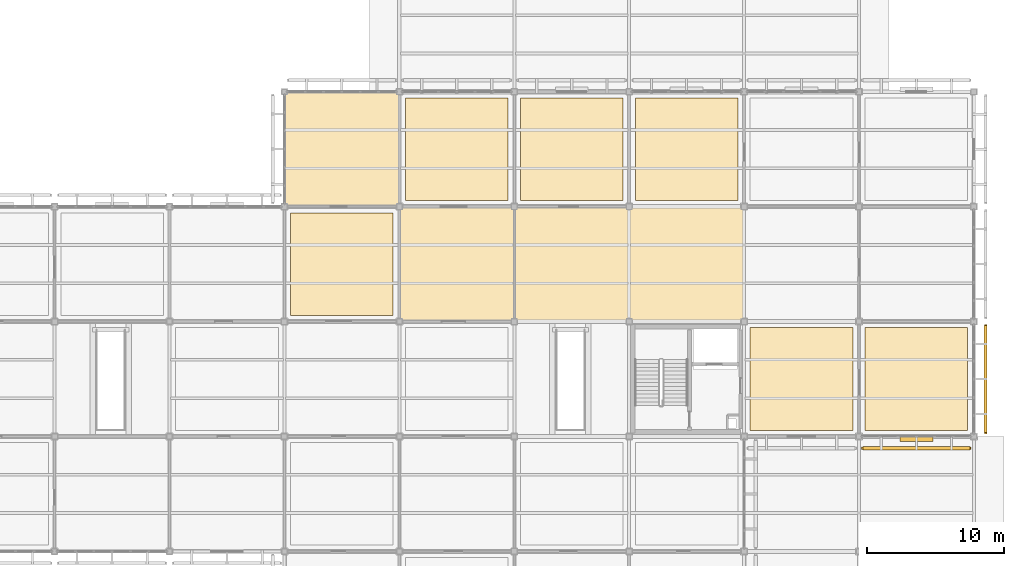
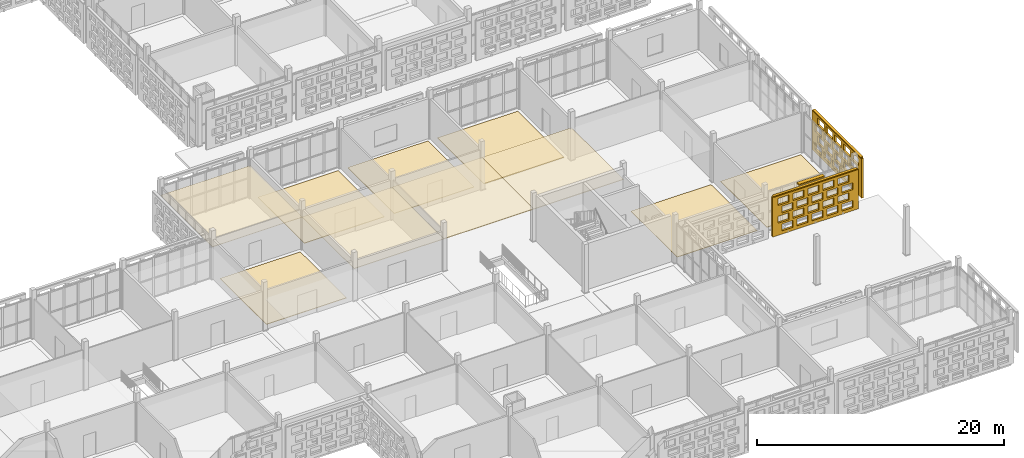
# One storey, part 188 of 203: 12 coverings, 3 shading devices, 40 openings.
"""IFC4 building model written with IfcOpenShell, lengths in metres."""

from ifc_helpers import new_model, si_unit, direction, frame, frame_2d, origin, origin_2d, place, context, subcontext, project, spatial, rectangle, extrude, material, layer, layer_set, type_object, element, save


model = new_model("IFC4")

# Units and contexts
model_context = context("Model", 3, precision=1e-05, world=origin(), true_north=direction((0.0, 1.0)))
body_context = subcontext(model_context, "Body", "Model", "MODEL_VIEW")
ifc_project = project(units=[si_unit("LENGTHUNIT", "METRE"), si_unit("AREAUNIT", "SQUARE_METRE"), si_unit("VOLUMEUNIT", "CUBIC_METRE"), si_unit("PLANEANGLEUNIT", "RADIAN"), si_unit("MASSUNIT", "GRAM", prefix="KILO")], contexts=[model_context])

# Site, building, storey
site_placement = place(None, origin())
site = spatial("IfcSite", under=ifc_project, at=site_placement, CompositionType="ELEMENT")
building_placement = place(site_placement, origin())
building = spatial("IfcBuilding", under=site, at=building_placement, Name="Varnapada Polytechnic", CompositionType="ELEMENT")
storey_placement = place(building_placement, frame((0.0, 0.0, 4.800048828125)))
storey = spatial("IfcBuildingStorey", under=building, at=storey_placement, Name="L01", CompositionType="ELEMENT", Elevation=4.800048828125)

# Coverings
ifc_material_1 = material(Name="End-Grain Timber Studio Block Flooring", Category="wood")
ifc_layer_1 = layer(ifc_material_1, 0.054931640625)
ifc_layer_set_1 = layer_set([ifc_layer_1], Name="End-Grain Timber Studio Block Flooring")
covering_type_1 = type_object("IfcCoveringType", Name="Floor Finish FLR-04", PredefinedType="FLOORING", material=ifc_layer_set_1)
for number, where, z_axis, x_axis, name in (
    (1, (130.199951171875, 37.800048828125, 0.0), (0.0, 0.0, 1.0), (1.0, 0.0, 0.0), "L01 floor finish panel (16,5)"),
    (2, (138.60009765625, 46.199951171875, 0.0), (0.0, 0.0, 1.0), (1.0, 0.0, 0.0), "L01 floor finish panel (17,6)"),
    (3, (147.0, 46.199951171875, 0.0), (0.0, 0.0, 1.0), (1.0, 0.0, 0.0), "L01 floor finish panel (18,6)"),
    (4, (155.39990234375, 46.199951171875, 0.0), (0.0, 0.0, 1.0), (1.0, 0.0, 0.0), "L01 floor finish panel (19,6)"),
    (5, (172.199951171875, 29.39990234375, 0.0), (0.0, 0.0, 1.0), (1.0, 0.0, 0.0), "L01 floor finish panel (21,4)"),
):
    element("IfcCovering", number, at=place(storey_placement, frame(where, z_axis=z_axis, x_axis=x_axis)), inside=storey, type_object=covering_type_1, Name=name, PredefinedType="FLOORING", context=body_context, shape_type="SweptSolid", body=[
        extrude(rectangle(XDim=7.5, YDim=7.5, at=origin_2d()), origin(), (0.0, 0.0, 1.0), 0.054931640625),
    ])
ifc_material_2 = material(Name="Acoustic Rubber Seminar Flooring")
ifc_layer_2 = layer(ifc_material_2, 0.0400390625)
ifc_layer_set_2 = layer_set([ifc_layer_2], Name="Acoustic Rubber Seminar Flooring")
covering_type_2 = type_object("IfcCoveringType", Name="Floor Finish FLR-06", PredefinedType="FLOORING", material=ifc_layer_set_2)
covering_1_placement = place(storey_placement, frame((163.800048828125, 29.39990234375, 0.0), z_axis=(0.0, 0.0, 1.0), x_axis=(1.0, 0.0, 0.0)))
element("IfcCovering", 6, at=covering_1_placement, inside=storey, type_object=covering_type_2, Name="L01 floor finish panel (20,4)", PredefinedType="FLOORING", context=body_context, shape_type="SweptSolid", body=[
    extrude(rectangle(XDim=7.5, YDim=7.5, at=origin_2d()), origin(), (0.0, 0.0, 1.0), 0.0400390625),
])

# Shading device
ifc_material_3 = material(Name="Anodised aluminium", Category="aluminium")
ifc_layer_3 = layer(ifc_material_3, 0.35009765625)
ifc_layer_set_3 = layer_set([ifc_layer_3], Name="Anodised aluminium")
shading_device_type_1 = type_object("IfcShadingDeviceType", Name="Solar Louvre LVR-01", PredefinedType="JALOUSIE", material=ifc_layer_set_3)
shading_device_1_placement = place(storey_placement, frame((172.195068359375, 25.02001953125, 3.760009765625), z_axis=(0.0, 0.0, 1.0), x_axis=(-1.0, 0.0, 0.0)))
element("IfcShadingDevice", 7, at=shading_device_1_placement, inside=storey, type_object=shading_device_type_1, Name="L01 aluminium sun louvre 139", PredefinedType="JALOUSIE", context=body_context, shape_type="SweptSolid", body=[
    extrude(rectangle(XDim=2.39990234375, YDim=0.340087890625, at=origin_2d()), origin(), (0.0, 0.0, 1.0), 0.1201171875),
])

# Coverings
ifc_material_4 = material(Name="Perforated Timber Slatted Baffle Ceiling", Category="wood")
ifc_layer_4 = layer(ifc_material_4, 0.050048828125)
ifc_layer_set_4 = layer_set([ifc_layer_4], Name="Perforated Timber Slatted Baffle Ceiling")
covering_type_3 = type_object("IfcCoveringType", Name="Suspended Ceiling CLG-02", PredefinedType="CEILING", material=ifc_layer_set_4)
covering_2_placement = place(storey_placement, frame((138.60009765625, 37.800048828125, 3.02490234375), z_axis=(0.0, 0.0, 1.0), x_axis=(1.0, 0.0, 0.0)))
element("IfcCovering", 8, at=covering_2_placement, inside=storey, type_object=covering_type_3, Name="L01 suspended acoustic ceiling (17,5)", PredefinedType="CEILING", context=body_context, shape_type="SweptSolid", body=[
    extrude(rectangle(XDim=8.419921875, YDim=8.419921875, at=origin_2d()), origin(), (0.0, 0.0, 1.0), 0.050048828125),
])
ifc_material_5 = material(Name="Slatted Merbau Timber Acoustic Ceiling", Category="wood")
ifc_layer_5 = layer(ifc_material_5, 0.054931640625)
ifc_layer_set_5 = layer_set([ifc_layer_5], Name="Slatted Merbau Timber Acoustic Ceiling")
covering_type_4 = type_object("IfcCoveringType", Name="Suspended Ceiling CLG-05", PredefinedType="CEILING", material=ifc_layer_set_5)
covering_3_placement = place(storey_placement, frame((155.39990234375, 37.800048828125, 3.0224609375), z_axis=(0.0, 0.0, 1.0), x_axis=(1.0, 0.0, 0.0)))
element("IfcCovering", 9, at=covering_3_placement, inside=storey, type_object=covering_type_4, Name="L01 suspended acoustic ceiling (19,5)", PredefinedType="CEILING", context=body_context, shape_type="SweptSolid", body=[
    extrude(rectangle(XDim=8.419921875, YDim=8.419921875, at=origin_2d()), origin(), (0.0, 0.0, 1.0), 0.054931640625),
])
ifc_material_6 = material(Name="Cleanroom Laboratory Metal Pan Ceiling")
ifc_layer_6 = layer(ifc_material_6, 0.034912109375)
ifc_layer_set_6 = layer_set([ifc_layer_6], Name="Cleanroom Laboratory Metal Pan Ceiling")
covering_type_5 = type_object("IfcCoveringType", Name="Suspended Ceiling CLG-06", PredefinedType="CEILING", material=ifc_layer_set_6)
covering_4_placement = place(storey_placement, frame((130.199951171875, 46.199951171875, 3.03271484375), z_axis=(0.0, 0.0, 1.0), x_axis=(1.0, 0.0, 0.0)))
element("IfcCovering", 10, at=covering_4_placement, inside=storey, type_object=covering_type_5, Name="L01 suspended acoustic ceiling (16,6)", PredefinedType="CEILING", context=body_context, shape_type="SweptSolid", body=[
    extrude(rectangle(XDim=8.419921875, YDim=8.419921875, at=origin_2d()), origin(), (0.0, 0.0, 1.0), 0.034912109375),
])
ifc_material_7 = material(Name="Deep Acoustic Auditorium Cloud Baffle")
ifc_layer_7 = layer(ifc_material_7, 0.06494140625)
ifc_layer_set_7 = layer_set([ifc_layer_7], Name="Deep Acoustic Auditorium Cloud Baffle")
covering_type_6 = type_object("IfcCoveringType", Name="Suspended Ceiling CLG-07", PredefinedType="CEILING", material=ifc_layer_set_7)
covering_5_placement = place(storey_placement, frame((147.0, 37.800048828125, 3.017578125), z_axis=(0.0, 0.0, 1.0), x_axis=(1.0, 0.0, 0.0)))
element("IfcCovering", 11, at=covering_5_placement, inside=storey, type_object=covering_type_6, Name="L01 suspended acoustic ceiling (18,5)", PredefinedType="CEILING", context=body_context, shape_type="SweptSolid", body=[
    extrude(rectangle(XDim=8.419921875, YDim=8.419921875, at=origin_2d()), origin(), (0.0, 0.0, 1.0), 0.06494140625),
])

# Covering, openings
ifc_material_8 = material(Name="Earth-toned architectural terracotta screen block", Category="masonry")
ifc_layer_8 = layer(ifc_material_8, 0.1201171875)
ifc_layer_set_8 = layer_set([ifc_layer_8], Name="Earth-toned architectural terracotta screen block")
covering_type_7 = type_object("IfcCoveringType", Name="Terracotta Screen Cladding CLD-01", PredefinedType="CLADDING", material=ifc_layer_set_8)
covering_6_placement = place(storey_placement, frame((176.199951171875, 24.35009765625, 0.0), z_axis=(0.0, 0.0, 1.0), x_axis=(-1.0, 0.0, 0.0)))
covering_6 = element("IfcCovering", 12, at=covering_6_placement, inside=storey, type_object=covering_type_7, Name="L01 perforated terracotta block screen (139)", PredefinedType="CLADDING", context=body_context, shape_type="SweptSolid", body=[
    extrude(rectangle(XDim=8.010009765625, YDim=0.179931640625, at=frame_2d((4.0048828125, 0.0))), origin(), (0.0, 0.0, 1.0), 3.919921875),
])
opening_1_placement = place(covering_6_placement, frame((0.5048828125, 0.0, 0.313720703125)))
element("IfcOpeningElement", 13, at=opening_1_placement, cuts=covering_6, Name="Screen perforation TBS-L01-138.1", PredefinedType="OPENING", context=body_context, shape_type="SweptSolid", body=[
    extrude(rectangle(XDim=1.0400390625, YDim=0.679931640625, at=frame_2d((0.52001953125, 0.33984375))), frame((0.0, 0.099853515625, 0.0), z_axis=(0.0, -1.0, 0.0), x_axis=(1.0, 0.0, 0.0)), (0.0, 0.0, 1.0), 0.199951171875),
])
opening_2_placement = place(covering_6_placement, frame((1.905029296875, 0.0, 0.313720703125)))
element("IfcOpeningElement", 14, at=opening_2_placement, cuts=covering_6, Name="Screen perforation TBS-L01-138.2", PredefinedType="OPENING", context=body_context, shape_type="SweptSolid", body=[
    extrude(rectangle(XDim=1.0400390625, YDim=0.679931640625, at=frame_2d((0.52001953125, 0.33984375))), frame((0.0, 0.099853515625, 0.0), z_axis=(0.0, -1.0, 0.0), x_axis=(1.0, 0.0, 0.0)), (0.0, 0.0, 1.0), 0.199951171875),
])
opening_3_placement = place(covering_6_placement, frame((3.304931640625, 0.0, 0.313720703125)))
element("IfcOpeningElement", 15, at=opening_3_placement, cuts=covering_6, Name="Screen perforation TBS-L01-138.3", PredefinedType="OPENING", context=body_context, shape_type="SweptSolid", body=[
    extrude(rectangle(XDim=1.0400390625, YDim=0.679931640625, at=frame_2d((0.52001953125, 0.33984375))), frame((0.0, 0.099853515625, 0.0), z_axis=(0.0, -1.0, 0.0), x_axis=(1.0, 0.0, 0.0)), (0.0, 0.0, 1.0), 0.199951171875),
])
opening_4_placement = place(covering_6_placement, frame((4.705078125, 0.0, 0.313720703125)))
element("IfcOpeningElement", 16, at=opening_4_placement, cuts=covering_6, Name="Screen perforation TBS-L01-138.4", PredefinedType="OPENING", context=body_context, shape_type="SweptSolid", body=[
    extrude(rectangle(XDim=1.0400390625, YDim=0.679931640625, at=frame_2d((0.52001953125, 0.33984375))), frame((0.0, 0.099853515625, 0.0), z_axis=(0.0, -1.0, 0.0), x_axis=(1.0, 0.0, 0.0)), (0.0, 0.0, 1.0), 0.199951171875),
])
opening_5_placement = place(covering_6_placement, frame((6.10498046875, 0.0, 0.313720703125)))
element("IfcOpeningElement", 17, at=opening_5_placement, cuts=covering_6, Name="Screen perforation TBS-L01-138.5", PredefinedType="OPENING", context=body_context, shape_type="SweptSolid", body=[
    extrude(rectangle(XDim=1.0400390625, YDim=0.679931640625, at=frame_2d((0.52001953125, 0.33984375))), frame((0.0, 0.099853515625, 0.0), z_axis=(0.0, -1.0, 0.0), x_axis=(1.0, 0.0, 0.0)), (0.0, 0.0, 1.0), 0.199951171875),
])
opening_6_placement = place(covering_6_placement, frame((0.864990234375, 0.0, 1.195556640625)))
element("IfcOpeningElement", 18, at=opening_6_placement, cuts=covering_6, Name="Screen perforation TBS-L01-138.6", PredefinedType="OPENING", context=body_context, shape_type="SweptSolid", body=[
    extrude(rectangle(XDim=1.0400390625, YDim=0.679931640625, at=frame_2d((0.52001953125, 0.33984375))), frame((0.0, 0.099853515625, 0.0), z_axis=(0.0, -1.0, 0.0), x_axis=(1.0, 0.0, 0.0)), (0.0, 0.0, 1.0), 0.199951171875),
])
opening_7_placement = place(covering_6_placement, frame((2.264892578125, 0.0, 1.195556640625)))
element("IfcOpeningElement", 19, at=opening_7_placement, cuts=covering_6, Name="Screen perforation TBS-L01-138.7", PredefinedType="OPENING", context=body_context, shape_type="SweptSolid", body=[
    extrude(rectangle(XDim=1.0400390625, YDim=0.679931640625, at=frame_2d((0.52001953125, 0.33984375))), frame((0.0, 0.099853515625, 0.0), z_axis=(0.0, -1.0, 0.0), x_axis=(1.0, 0.0, 0.0)), (0.0, 0.0, 1.0), 0.199951171875),
])
opening_8_placement = place(covering_6_placement, frame((3.6650390625, 0.0, 1.195556640625)))
element("IfcOpeningElement", 20, at=opening_8_placement, cuts=covering_6, Name="Screen perforation TBS-L01-138.8", PredefinedType="OPENING", context=body_context, shape_type="SweptSolid", body=[
    extrude(rectangle(XDim=1.0400390625, YDim=0.679931640625, at=frame_2d((0.52001953125, 0.33984375))), frame((0.0, 0.099853515625, 0.0), z_axis=(0.0, -1.0, 0.0), x_axis=(1.0, 0.0, 0.0)), (0.0, 0.0, 1.0), 0.199951171875),
])
opening_9_placement = place(covering_6_placement, frame((5.06494140625, 0.0, 1.195556640625)))
element("IfcOpeningElement", 21, at=opening_9_placement, cuts=covering_6, Name="Screen perforation TBS-L01-138.9", PredefinedType="OPENING", context=body_context, shape_type="SweptSolid", body=[
    extrude(rectangle(XDim=1.0400390625, YDim=0.679931640625, at=frame_2d((0.52001953125, 0.33984375))), frame((0.0, 0.099853515625, 0.0), z_axis=(0.0, -1.0, 0.0), x_axis=(1.0, 0.0, 0.0)), (0.0, 0.0, 1.0), 0.199951171875),
])
opening_10_placement = place(covering_6_placement, frame((6.465087890625, 0.0, 1.195556640625)))
element("IfcOpeningElement", 22, at=opening_10_placement, cuts=covering_6, Name="Screen perforation TBS-L01-138.10", PredefinedType="OPENING", context=body_context, shape_type="SweptSolid", body=[
    extrude(rectangle(XDim=1.0400390625, YDim=0.679931640625, at=frame_2d((0.52001953125, 0.33984375))), frame((0.0, 0.099853515625, 0.0), z_axis=(0.0, -1.0, 0.0), x_axis=(1.0, 0.0, 0.0)), (0.0, 0.0, 1.0), 0.199951171875),
])
opening_11_placement = place(covering_6_placement, frame((0.5048828125, 0.0, 2.07763671875)))
element("IfcOpeningElement", 23, at=opening_11_placement, cuts=covering_6, Name="Screen perforation TBS-L01-138.11", PredefinedType="OPENING", context=body_context, shape_type="SweptSolid", body=[
    extrude(rectangle(XDim=1.0400390625, YDim=0.679931640625, at=frame_2d((0.52001953125, 0.33984375))), frame((0.0, 0.099853515625, 0.0), z_axis=(0.0, -1.0, 0.0), x_axis=(1.0, 0.0, 0.0)), (0.0, 0.0, 1.0), 0.199951171875),
])
opening_12_placement = place(covering_6_placement, frame((1.905029296875, 0.0, 2.07763671875)))
element("IfcOpeningElement", 24, at=opening_12_placement, cuts=covering_6, Name="Screen perforation TBS-L01-138.12", PredefinedType="OPENING", context=body_context, shape_type="SweptSolid", body=[
    extrude(rectangle(XDim=1.0400390625, YDim=0.679931640625, at=frame_2d((0.52001953125, 0.33984375))), frame((0.0, 0.099853515625, 0.0), z_axis=(0.0, -1.0, 0.0), x_axis=(1.0, 0.0, 0.0)), (0.0, 0.0, 1.0), 0.199951171875),
])
opening_13_placement = place(covering_6_placement, frame((3.304931640625, 0.0, 2.07763671875)))
element("IfcOpeningElement", 25, at=opening_13_placement, cuts=covering_6, Name="Screen perforation TBS-L01-138.13", PredefinedType="OPENING", context=body_context, shape_type="SweptSolid", body=[
    extrude(rectangle(XDim=1.0400390625, YDim=0.679931640625, at=frame_2d((0.52001953125, 0.33984375))), frame((0.0, 0.099853515625, 0.0), z_axis=(0.0, -1.0, 0.0), x_axis=(1.0, 0.0, 0.0)), (0.0, 0.0, 1.0), 0.199951171875),
])
opening_14_placement = place(covering_6_placement, frame((4.705078125, 0.0, 2.07763671875)))
element("IfcOpeningElement", 26, at=opening_14_placement, cuts=covering_6, Name="Screen perforation TBS-L01-138.14", PredefinedType="OPENING", context=body_context, shape_type="SweptSolid", body=[
    extrude(rectangle(XDim=1.0400390625, YDim=0.679931640625, at=frame_2d((0.52001953125, 0.33984375))), frame((0.0, 0.099853515625, 0.0), z_axis=(0.0, -1.0, 0.0), x_axis=(1.0, 0.0, 0.0)), (0.0, 0.0, 1.0), 0.199951171875),
])
opening_15_placement = place(covering_6_placement, frame((6.10498046875, 0.0, 2.07763671875)))
element("IfcOpeningElement", 27, at=opening_15_placement, cuts=covering_6, Name="Screen perforation TBS-L01-138.15", PredefinedType="OPENING", context=body_context, shape_type="SweptSolid", body=[
    extrude(rectangle(XDim=1.0400390625, YDim=0.679931640625, at=frame_2d((0.52001953125, 0.33984375))), frame((0.0, 0.099853515625, 0.0), z_axis=(0.0, -1.0, 0.0), x_axis=(1.0, 0.0, 0.0)), (0.0, 0.0, 1.0), 0.199951171875),
])
opening_16_placement = place(covering_6_placement, frame((0.864990234375, 0.0, 2.959716796875)))
element("IfcOpeningElement", 28, at=opening_16_placement, cuts=covering_6, Name="Screen perforation TBS-L01-138.16", PredefinedType="OPENING", context=body_context, shape_type="SweptSolid", body=[
    extrude(rectangle(XDim=1.0400390625, YDim=0.679931640625, at=frame_2d((0.52001953125, 0.33984375))), frame((0.0, 0.099853515625, 0.0), z_axis=(0.0, -1.0, 0.0), x_axis=(1.0, 0.0, 0.0)), (0.0, 0.0, 1.0), 0.199951171875),
])
opening_17_placement = place(covering_6_placement, frame((2.264892578125, 0.0, 2.959716796875)))
element("IfcOpeningElement", 29, at=opening_17_placement, cuts=covering_6, Name="Screen perforation TBS-L01-138.17", PredefinedType="OPENING", context=body_context, shape_type="SweptSolid", body=[
    extrude(rectangle(XDim=1.0400390625, YDim=0.679931640625, at=frame_2d((0.52001953125, 0.33984375))), frame((0.0, 0.099853515625, 0.0), z_axis=(0.0, -1.0, 0.0), x_axis=(1.0, 0.0, 0.0)), (0.0, 0.0, 1.0), 0.199951171875),
])
opening_18_placement = place(covering_6_placement, frame((3.6650390625, 0.0, 2.959716796875)))
element("IfcOpeningElement", 30, at=opening_18_placement, cuts=covering_6, Name="Screen perforation TBS-L01-138.18", PredefinedType="OPENING", context=body_context, shape_type="SweptSolid", body=[
    extrude(rectangle(XDim=1.0400390625, YDim=0.679931640625, at=frame_2d((0.52001953125, 0.33984375))), frame((0.0, 0.099853515625, 0.0), z_axis=(0.0, -1.0, 0.0), x_axis=(1.0, 0.0, 0.0)), (0.0, 0.0, 1.0), 0.199951171875),
])
opening_19_placement = place(covering_6_placement, frame((5.06494140625, 0.0, 2.959716796875)))
element("IfcOpeningElement", 31, at=opening_19_placement, cuts=covering_6, Name="Screen perforation TBS-L01-138.19", PredefinedType="OPENING", context=body_context, shape_type="SweptSolid", body=[
    extrude(rectangle(XDim=1.0400390625, YDim=0.679931640625, at=frame_2d((0.52001953125, 0.33984375))), frame((0.0, 0.099853515625, 0.0), z_axis=(0.0, -1.0, 0.0), x_axis=(1.0, 0.0, 0.0)), (0.0, 0.0, 1.0), 0.199951171875),
])
opening_20_placement = place(covering_6_placement, frame((6.465087890625, 0.0, 2.959716796875)))
element("IfcOpeningElement", 32, at=opening_20_placement, cuts=covering_6, Name="Screen perforation TBS-L01-138.20", PredefinedType="OPENING", context=body_context, shape_type="SweptSolid", body=[
    extrude(rectangle(XDim=1.0400390625, YDim=0.679931640625, at=frame_2d((0.52001953125, 0.33984375))), frame((0.0, 0.099853515625, 0.0), z_axis=(0.0, -1.0, 0.0), x_axis=(1.0, 0.0, 0.0)), (0.0, 0.0, 1.0), 0.199951171875),
])

covering_7_placement = place(storey_placement, frame((177.25, 33.39990234375, 0.0), z_axis=(0.0, 0.0, 1.0), x_axis=(0.0, -1.0, 0.0)))
covering_7 = element("IfcCovering", 33, at=covering_7_placement, inside=storey, type_object=covering_type_7, Name="L01 perforated terracotta block screen (140)", PredefinedType="CLADDING", context=body_context, shape_type="SweptSolid", body=[
    extrude(rectangle(XDim=8.0, YDim=0.179931640625, at=frame_2d((4.0, 0.0))), origin(), (0.0, 0.0, 1.0), 3.919921875),
])
opening_21_placement = place(covering_7_placement, frame((0.5, 0.0, 0.313720703125)))
element("IfcOpeningElement", 34, at=opening_21_placement, cuts=covering_7, Name="Screen perforation TBS-L01-139.1", PredefinedType="OPENING", context=body_context, shape_type="SweptSolid", body=[
    extrude(rectangle(XDim=1.0400390625, YDim=0.679931640625, at=frame_2d((0.52001953125, 0.33984375))), frame((0.0, 0.099853515625, 0.0), z_axis=(0.0, -1.0, 0.0), x_axis=(1.0, 0.0, 0.0)), (0.0, 0.0, 1.0), 0.199951171875),
])
opening_22_placement = place(covering_7_placement, frame((1.89990234375, 0.0, 0.313720703125)))
element("IfcOpeningElement", 35, at=opening_22_placement, cuts=covering_7, Name="Screen perforation TBS-L01-139.2", PredefinedType="OPENING", context=body_context, shape_type="SweptSolid", body=[
    extrude(rectangle(XDim=1.0400390625, YDim=0.679931640625, at=frame_2d((0.52001953125, 0.33984375))), frame((0.0, 0.099853515625, 0.0), z_axis=(0.0, -1.0, 0.0), x_axis=(1.0, 0.0, 0.0)), (0.0, 0.0, 1.0), 0.199951171875),
])
opening_23_placement = place(covering_7_placement, frame((3.300048828125, 0.0, 0.313720703125)))
element("IfcOpeningElement", 36, at=opening_23_placement, cuts=covering_7, Name="Screen perforation TBS-L01-139.3", PredefinedType="OPENING", context=body_context, shape_type="SweptSolid", body=[
    extrude(rectangle(XDim=1.0400390625, YDim=0.679931640625, at=frame_2d((0.52001953125, 0.33984375))), frame((0.0, 0.099853515625, 0.0), z_axis=(0.0, -1.0, 0.0), x_axis=(1.0, 0.0, 0.0)), (0.0, 0.0, 1.0), 0.199951171875),
])
opening_24_placement = place(covering_7_placement, frame((4.699951171875, 0.0, 0.313720703125)))
element("IfcOpeningElement", 37, at=opening_24_placement, cuts=covering_7, Name="Screen perforation TBS-L01-139.4", PredefinedType="OPENING", context=body_context, shape_type="SweptSolid", body=[
    extrude(rectangle(XDim=1.0400390625, YDim=0.679931640625, at=frame_2d((0.52001953125, 0.33984375))), frame((0.0, 0.099853515625, 0.0), z_axis=(0.0, -1.0, 0.0), x_axis=(1.0, 0.0, 0.0)), (0.0, 0.0, 1.0), 0.199951171875),
])
opening_25_placement = place(covering_7_placement, frame((6.10009765625, 0.0, 0.313720703125)))
element("IfcOpeningElement", 38, at=opening_25_placement, cuts=covering_7, Name="Screen perforation TBS-L01-139.5", PredefinedType="OPENING", context=body_context, shape_type="SweptSolid", body=[
    extrude(rectangle(XDim=1.0400390625, YDim=0.679931640625, at=frame_2d((0.52001953125, 0.33984375))), frame((0.0, 0.099853515625, 0.0), z_axis=(0.0, -1.0, 0.0), x_axis=(1.0, 0.0, 0.0)), (0.0, 0.0, 1.0), 0.199951171875),
])
opening_26_placement = place(covering_7_placement, frame((0.860107421875, 0.0, 1.195556640625)))
element("IfcOpeningElement", 39, at=opening_26_placement, cuts=covering_7, Name="Screen perforation TBS-L01-139.6", PredefinedType="OPENING", context=body_context, shape_type="SweptSolid", body=[
    extrude(rectangle(XDim=1.0400390625, YDim=0.679931640625, at=frame_2d((0.52001953125, 0.33984375))), frame((0.0, 0.099853515625, 0.0), z_axis=(0.0, -1.0, 0.0), x_axis=(1.0, 0.0, 0.0)), (0.0, 0.0, 1.0), 0.199951171875),
])
opening_27_placement = place(covering_7_placement, frame((2.260009765625, 0.0, 1.195556640625)))
element("IfcOpeningElement", 40, at=opening_27_placement, cuts=covering_7, Name="Screen perforation TBS-L01-139.7", PredefinedType="OPENING", context=body_context, shape_type="SweptSolid", body=[
    extrude(rectangle(XDim=1.0400390625, YDim=0.679931640625, at=frame_2d((0.52001953125, 0.33984375))), frame((0.0, 0.099853515625, 0.0), z_axis=(0.0, -1.0, 0.0), x_axis=(1.0, 0.0, 0.0)), (0.0, 0.0, 1.0), 0.199951171875),
])
opening_28_placement = place(covering_7_placement, frame((3.659912109375, 0.0, 1.195556640625)))
element("IfcOpeningElement", 41, at=opening_28_placement, cuts=covering_7, Name="Screen perforation TBS-L01-139.8", PredefinedType="OPENING", context=body_context, shape_type="SweptSolid", body=[
    extrude(rectangle(XDim=1.0400390625, YDim=0.679931640625, at=frame_2d((0.52001953125, 0.33984375))), frame((0.0, 0.099853515625, 0.0), z_axis=(0.0, -1.0, 0.0), x_axis=(1.0, 0.0, 0.0)), (0.0, 0.0, 1.0), 0.199951171875),
])
opening_29_placement = place(covering_7_placement, frame((5.06005859375, 0.0, 1.195556640625)))
element("IfcOpeningElement", 42, at=opening_29_placement, cuts=covering_7, Name="Screen perforation TBS-L01-139.9", PredefinedType="OPENING", context=body_context, shape_type="SweptSolid", body=[
    extrude(rectangle(XDim=1.0400390625, YDim=0.679931640625, at=frame_2d((0.52001953125, 0.33984375))), frame((0.0, 0.099853515625, 0.0), z_axis=(0.0, -1.0, 0.0), x_axis=(1.0, 0.0, 0.0)), (0.0, 0.0, 1.0), 0.199951171875),
])
opening_30_placement = place(covering_7_placement, frame((6.4599609375, 0.0, 1.195556640625)))
element("IfcOpeningElement", 43, at=opening_30_placement, cuts=covering_7, Name="Screen perforation TBS-L01-139.10", PredefinedType="OPENING", context=body_context, shape_type="SweptSolid", body=[
    extrude(rectangle(XDim=1.0400390625, YDim=0.679931640625, at=frame_2d((0.52001953125, 0.33984375))), frame((0.0, 0.099853515625, 0.0), z_axis=(0.0, -1.0, 0.0), x_axis=(1.0, 0.0, 0.0)), (0.0, 0.0, 1.0), 0.199951171875),
])
opening_31_placement = place(covering_7_placement, frame((0.5, 0.0, 2.07763671875)))
element("IfcOpeningElement", 44, at=opening_31_placement, cuts=covering_7, Name="Screen perforation TBS-L01-139.11", PredefinedType="OPENING", context=body_context, shape_type="SweptSolid", body=[
    extrude(rectangle(XDim=1.0400390625, YDim=0.679931640625, at=frame_2d((0.52001953125, 0.33984375))), frame((0.0, 0.099853515625, 0.0), z_axis=(0.0, -1.0, 0.0), x_axis=(1.0, 0.0, 0.0)), (0.0, 0.0, 1.0), 0.199951171875),
])
opening_32_placement = place(covering_7_placement, frame((1.89990234375, 0.0, 2.07763671875)))
element("IfcOpeningElement", 45, at=opening_32_placement, cuts=covering_7, Name="Screen perforation TBS-L01-139.12", PredefinedType="OPENING", context=body_context, shape_type="SweptSolid", body=[
    extrude(rectangle(XDim=1.0400390625, YDim=0.679931640625, at=frame_2d((0.52001953125, 0.33984375))), frame((0.0, 0.099853515625, 0.0), z_axis=(0.0, -1.0, 0.0), x_axis=(1.0, 0.0, 0.0)), (0.0, 0.0, 1.0), 0.199951171875),
])
opening_33_placement = place(covering_7_placement, frame((3.300048828125, 0.0, 2.07763671875)))
element("IfcOpeningElement", 46, at=opening_33_placement, cuts=covering_7, Name="Screen perforation TBS-L01-139.13", PredefinedType="OPENING", context=body_context, shape_type="SweptSolid", body=[
    extrude(rectangle(XDim=1.0400390625, YDim=0.679931640625, at=frame_2d((0.52001953125, 0.33984375))), frame((0.0, 0.099853515625, 0.0), z_axis=(0.0, -1.0, 0.0), x_axis=(1.0, 0.0, 0.0)), (0.0, 0.0, 1.0), 0.199951171875),
])
opening_34_placement = place(covering_7_placement, frame((4.699951171875, 0.0, 2.07763671875)))
element("IfcOpeningElement", 47, at=opening_34_placement, cuts=covering_7, Name="Screen perforation TBS-L01-139.14", PredefinedType="OPENING", context=body_context, shape_type="SweptSolid", body=[
    extrude(rectangle(XDim=1.0400390625, YDim=0.679931640625, at=frame_2d((0.52001953125, 0.33984375))), frame((0.0, 0.099853515625, 0.0), z_axis=(0.0, -1.0, 0.0), x_axis=(1.0, 0.0, 0.0)), (0.0, 0.0, 1.0), 0.199951171875),
])
opening_35_placement = place(covering_7_placement, frame((6.10009765625, 0.0, 2.07763671875)))
element("IfcOpeningElement", 48, at=opening_35_placement, cuts=covering_7, Name="Screen perforation TBS-L01-139.15", PredefinedType="OPENING", context=body_context, shape_type="SweptSolid", body=[
    extrude(rectangle(XDim=1.0400390625, YDim=0.679931640625, at=frame_2d((0.52001953125, 0.33984375))), frame((0.0, 0.099853515625, 0.0), z_axis=(0.0, -1.0, 0.0), x_axis=(1.0, 0.0, 0.0)), (0.0, 0.0, 1.0), 0.199951171875),
])
opening_36_placement = place(covering_7_placement, frame((0.860107421875, 0.0, 2.959716796875)))
element("IfcOpeningElement", 49, at=opening_36_placement, cuts=covering_7, Name="Screen perforation TBS-L01-139.16", PredefinedType="OPENING", context=body_context, shape_type="SweptSolid", body=[
    extrude(rectangle(XDim=1.0400390625, YDim=0.679931640625, at=frame_2d((0.52001953125, 0.33984375))), frame((0.0, 0.099853515625, 0.0), z_axis=(0.0, -1.0, 0.0), x_axis=(1.0, 0.0, 0.0)), (0.0, 0.0, 1.0), 0.199951171875),
])
opening_37_placement = place(covering_7_placement, frame((2.260009765625, 0.0, 2.959716796875)))
element("IfcOpeningElement", 50, at=opening_37_placement, cuts=covering_7, Name="Screen perforation TBS-L01-139.17", PredefinedType="OPENING", context=body_context, shape_type="SweptSolid", body=[
    extrude(rectangle(XDim=1.0400390625, YDim=0.679931640625, at=frame_2d((0.52001953125, 0.33984375))), frame((0.0, 0.099853515625, 0.0), z_axis=(0.0, -1.0, 0.0), x_axis=(1.0, 0.0, 0.0)), (0.0, 0.0, 1.0), 0.199951171875),
])
opening_38_placement = place(covering_7_placement, frame((3.659912109375, 0.0, 2.959716796875)))
element("IfcOpeningElement", 51, at=opening_38_placement, cuts=covering_7, Name="Screen perforation TBS-L01-139.18", PredefinedType="OPENING", context=body_context, shape_type="SweptSolid", body=[
    extrude(rectangle(XDim=1.0400390625, YDim=0.679931640625, at=frame_2d((0.52001953125, 0.33984375))), frame((0.0, 0.099853515625, 0.0), z_axis=(0.0, -1.0, 0.0), x_axis=(1.0, 0.0, 0.0)), (0.0, 0.0, 1.0), 0.199951171875),
])
opening_39_placement = place(covering_7_placement, frame((5.06005859375, 0.0, 2.959716796875)))
element("IfcOpeningElement", 52, at=opening_39_placement, cuts=covering_7, Name="Screen perforation TBS-L01-139.19", PredefinedType="OPENING", context=body_context, shape_type="SweptSolid", body=[
    extrude(rectangle(XDim=1.0400390625, YDim=0.679931640625, at=frame_2d((0.52001953125, 0.33984375))), frame((0.0, 0.099853515625, 0.0), z_axis=(0.0, -1.0, 0.0), x_axis=(1.0, 0.0, 0.0)), (0.0, 0.0, 1.0), 0.199951171875),
])
opening_40_placement = place(covering_7_placement, frame((6.4599609375, 0.0, 2.959716796875)))
element("IfcOpeningElement", 53, at=opening_40_placement, cuts=covering_7, Name="Screen perforation TBS-L01-139.20", PredefinedType="OPENING", context=body_context, shape_type="SweptSolid", body=[
    extrude(rectangle(XDim=1.0400390625, YDim=0.679931640625, at=frame_2d((0.52001953125, 0.33984375))), frame((0.0, 0.099853515625, 0.0), z_axis=(0.0, -1.0, 0.0), x_axis=(1.0, 0.0, 0.0)), (0.0, 0.0, 1.0), 0.199951171875),
])

# Shading devices
ifc_layer_9 = layer(ifc_material_8, 0.179931640625)
ifc_layer_set_9 = layer_set([ifc_layer_9], Name="Earth-toned architectural terracotta screen block")
shading_device_type_2 = type_object("IfcShadingDeviceType", Name="Terracotta Screen SCR-02", PredefinedType="USERDEFINED", material=ifc_layer_set_9)
shading_device_2_placement = place(storey_placement, frame((172.195068359375, 24.35009765625, 3.909912109375), z_axis=(0.0, 0.0, 1.0), x_axis=(-1.0, 0.0, 0.0)))
element("IfcShadingDevice", 54, at=shading_device_2_placement, inside=storey, type_object=shading_device_type_2, Name="L01 perforated terracotta screen hood 217", ObjectType="SCREEN", PredefinedType="USERDEFINED", context=body_context, shape_type="SweptSolid", body=[
    extrude(rectangle(XDim=7.81005859375, YDim=0.239990234375, at=origin_2d()), origin(), (0.0, 0.0, 1.0), 0.10009765625),
])
shading_device_3_placement = place(storey_placement, frame((177.25, 29.39990234375, 3.909912109375), z_axis=(0.0, 0.0, 1.0), x_axis=(0.0, -1.0, 0.0)))
element("IfcShadingDevice", 55, at=shading_device_3_placement, inside=storey, type_object=shading_device_type_2, Name="L01 perforated terracotta screen hood 218", ObjectType="SCREEN", PredefinedType="USERDEFINED", context=body_context, shape_type="SweptSolid", body=[
    extrude(rectangle(XDim=7.800048828125, YDim=0.239990234375, at=origin_2d()), origin(), (0.0, 0.0, 1.0), 0.10009765625),
])

save(model, "model.ifc")
